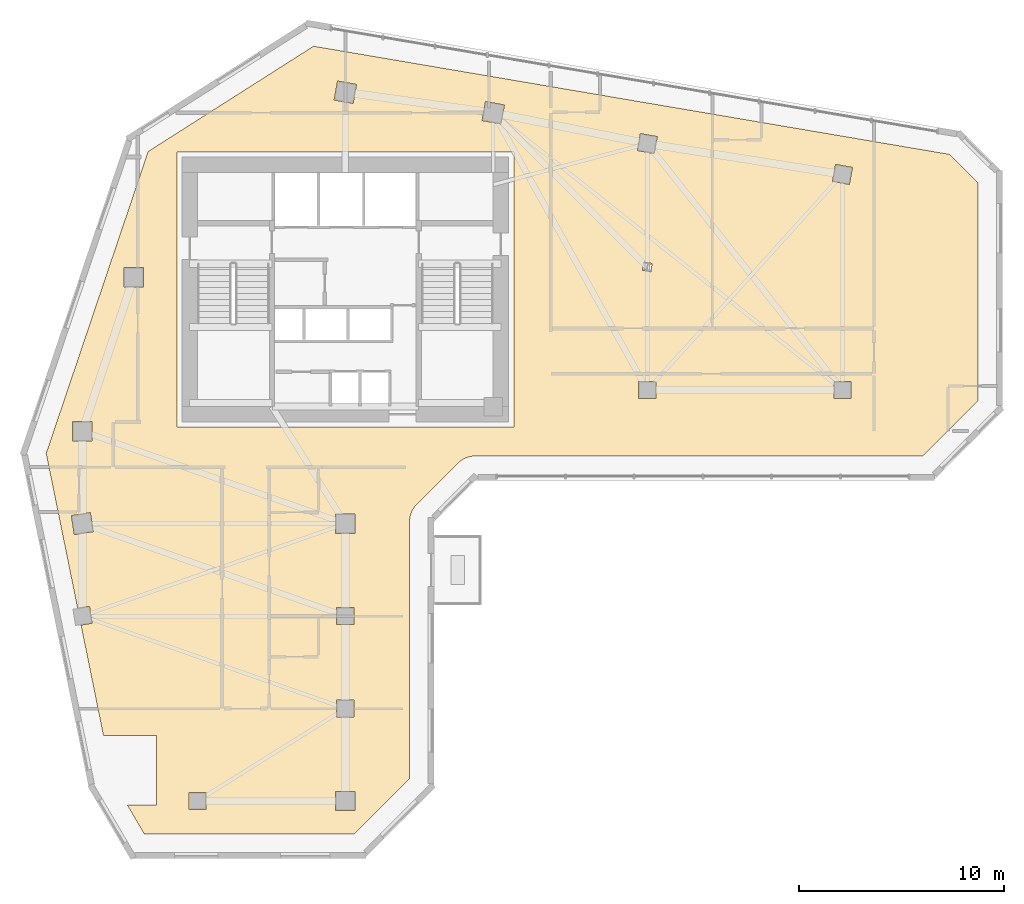
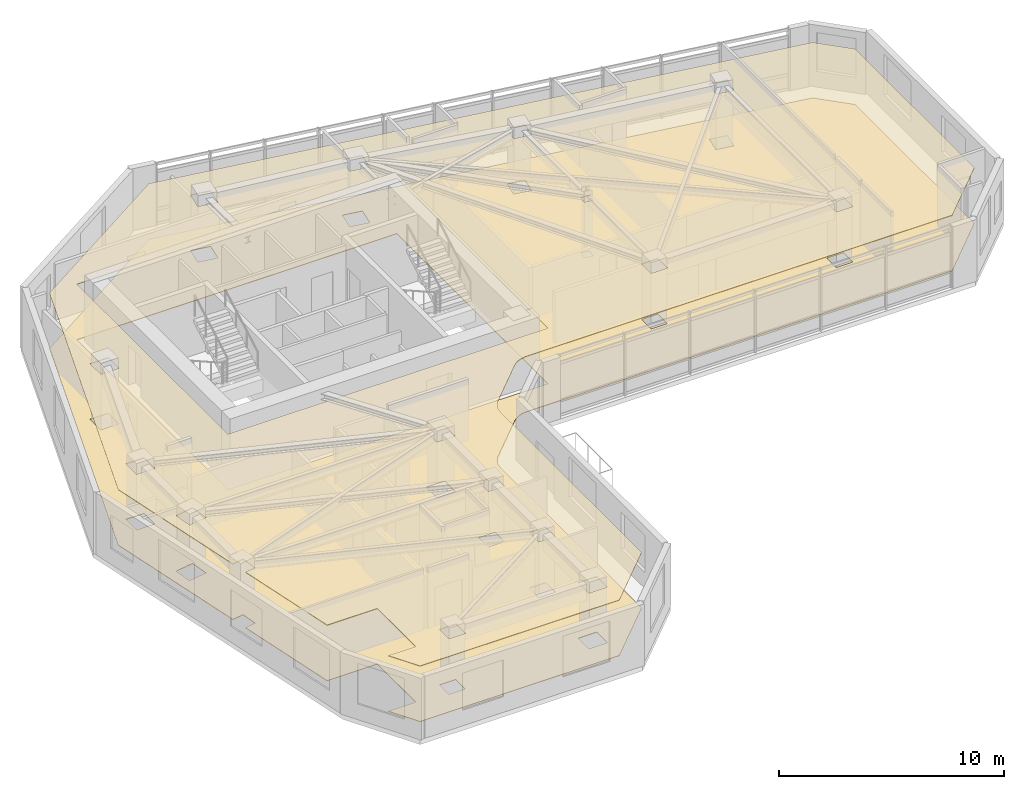
# One storey, part 9 of 10: 2 coverings.
"""IFC4 building model written with IfcOpenShell, lengths in metres."""

from ifc_helpers import new_model, si_unit, direction, frame, origin, place, context, subcontext, project, spatial, polyline, outline, extrude, material, layer, layer_set, type_object, element, save


model = new_model("IFC4")

# Units and contexts
model_context = context("Model", 3, precision=1e-05, world=origin(), true_north=direction((0.0, 1.0)))
body_context = subcontext(model_context, "Body", "Model", "MODEL_VIEW")
ifc_project = project(units=[si_unit("LENGTHUNIT", "METRE"), si_unit("AREAUNIT", "SQUARE_METRE"), si_unit("VOLUMEUNIT", "CUBIC_METRE"), si_unit("PLANEANGLEUNIT", "RADIAN"), si_unit("MASSUNIT", "GRAM", prefix="KILO")], contexts=[model_context])

# Site, building, storey
site_placement = place(None, origin())
site = spatial("IfcSite", under=ifc_project, at=site_placement, CompositionType="ELEMENT")
building_placement = place(site_placement, origin())
building = spatial("IfcBuilding", under=site, at=building_placement, Name="Calvemar Wedge Station Tower", CompositionType="ELEMENT")
storey_placement = place(building_placement, frame((0.0, 0.0, 150.199951171875)))
storey = spatial("IfcBuildingStorey", under=building, at=storey_placement, Name="L37", CompositionType="ELEMENT", Elevation=150.199951171875)

# Coverings
ifc_material_1 = material(Name="Acoustic mineral fibre ceiling board")
ifc_layer_1 = layer(ifc_material_1, 0.0400390625)
ifc_layer_set_1 = layer_set([ifc_layer_1], Name="Acoustic mineral fibre ceiling board")
covering_type_1 = type_object("IfcCoveringType", Name="COV-CEIL-ACOUSTIC", PredefinedType="CEILING", material=ifc_layer_set_1)
covering_1_placement = place(storey_placement, frame((0.0, 0.0, 3.0)))
element("IfcCovering", 1, at=covering_1_placement, inside=storey, type_object=covering_type_1, Name="Storey L37 Acoustic Suspended Ceiling", PredefinedType="CEILING", context=body_context, shape_type="SweptSolid", body=[
    extrude(outline(polyline([(27.279541015625, 29.4404296875), (29.279541015625, 31.4404296875), (29.36669921875, 31.51953125), (29.461181640625, 31.58984375), (29.562255859375, 31.650390625), (29.668701171875, 31.70068359375), (29.77978515625, 31.740234375), (29.893798828125, 31.768798828125), (30.010498046875, 31.7861328125), (30.1279296875, 31.7919921875), (51.90283203125, 31.7919921875), (54.60009765625, 34.489013671875), (54.60009765625, 45.094970703125), (53.221923828125, 46.47314453125), (22.25439453125, 51.739501953125), (14.201416015625, 46.614990234375), (9.240234375, 31.922119140625), (10.76904296875, 24.388427734375), (11.348388671875, 24.481201171875), (11.481201171875, 23.651611328125), (10.936279296875, 23.564453125), (12.02490234375, 18.199951171875), (14.60009765625, 18.199951171875), (14.60009765625, 14.800048828125), (13.19091796875, 14.800048828125), (14.014404296875, 13.39990234375), (24.23095703125, 13.39990234375), (26.927978515625, 16.09716796875), (26.927978515625, 28.592041015625), (26.933837890625, 28.709716796875), (26.951171875, 28.826171875), (26.979736328125, 28.940185546875), (27.019287109375, 29.05126953125), (27.069580078125, 29.15771484375), (27.130126953125, 29.2587890625), (27.200439453125, 29.353271484375), (27.279541015625, 29.4404296875)]), holes=[polyline([(15.60009765625, 46.60009765625), (32.0, 46.60009765625), (32.0, 33.199951171875), (15.60009765625, 33.199951171875), (15.60009765625, 46.60009765625)]), polyline([(10.530029296875, 32.530029296875), (10.530029296875, 33.469970703125), (11.469970703125, 33.469970703125), (11.469970703125, 32.530029296875), (10.530029296875, 32.530029296875)]), polyline([(13.030029296875, 40.969970703125), (13.969970703125, 40.969970703125), (13.969970703125, 40.030029296875), (13.030029296875, 40.030029296875), (13.030029296875, 40.969970703125)]), polyline([(24.345703125, 49.87939453125), (24.17919921875, 48.9541015625), (23.254150390625, 49.12060546875), (23.420654296875, 50.0458984375), (24.345703125, 49.87939453125)]), polyline([(31.37939453125, 47.9541015625), (30.4541015625, 48.12060546875), (30.62060546875, 49.0458984375), (31.5458984375, 48.87939453125), (31.37939453125, 47.9541015625)]), polyline([(38.01220703125, 46.660888671875), (38.160888671875, 47.48779296875), (38.98779296875, 47.339111328125), (38.839111328125, 46.51220703125), (38.01220703125, 46.660888671875)]), polyline([(47.660888671875, 45.98779296875), (48.48779296875, 45.839111328125), (48.339111328125, 45.01220703125), (47.51220703125, 45.160888671875), (47.660888671875, 45.98779296875)]), polyline([(38.919921875, 35.419921875), (38.919921875, 34.580078125), (38.080078125, 34.580078125), (38.080078125, 35.419921875), (38.919921875, 35.419921875)]), polyline([(48.419921875, 34.580078125), (47.580078125, 34.580078125), (47.580078125, 35.419921875), (48.419921875, 35.419921875), (48.419921875, 34.580078125)]), polyline([(38.259765625, 40.833984375), (38.332763671875, 41.239501953125), (38.740234375, 41.166015625), (38.667236328125, 40.760498046875), (38.259765625, 40.833984375)]), polyline([(11.389892578125, 29.038330078125), (11.538330078125, 28.110107421875), (10.610107421875, 27.961669921875), (10.461669921875, 28.889892578125), (11.389892578125, 29.038330078125)]), polyline([(24.27001953125, 28.030029296875), (23.330078125, 28.030029296875), (23.330078125, 28.969970703125), (24.27001953125, 28.969970703125), (24.27001953125, 28.030029296875)]), polyline([(23.3798828125, 23.580078125), (23.3798828125, 24.419921875), (24.219970703125, 24.419921875), (24.219970703125, 23.580078125), (23.3798828125, 23.580078125)]), polyline([(23.3798828125, 19.919921875), (24.219970703125, 19.919921875), (24.219970703125, 19.080078125), (23.3798828125, 19.080078125), (23.3798828125, 19.919921875)]), polyline([(24.27001953125, 15.469970703125), (24.27001953125, 14.530029296875), (23.330078125, 14.530029296875), (23.330078125, 15.469970703125), (24.27001953125, 15.469970703125)]), polyline([(17.02001953125, 14.580078125), (16.179931640625, 14.580078125), (16.179931640625, 15.419921875), (17.02001953125, 15.419921875), (17.02001953125, 14.580078125)])]), origin(), (0.0, 0.0, 1.0), 0.0400390625),
])
ifc_material_2 = material(Name="Honed coastal granite stone tile", Category="masonry")
ifc_layer_2 = layer(ifc_material_2, 0.030029296875)
ifc_layer_set_2 = layer_set([ifc_layer_2], Name="Honed coastal granite stone tile")
covering_type_2 = type_object("IfcCoveringType", Name="COV-FLR-STONE", PredefinedType="FLOORING", material=ifc_layer_set_2)
covering_2_placement = place(storey_placement, origin())
element("IfcCovering", 2, at=covering_2_placement, inside=storey, type_object=covering_type_2, Name="Storey L37 Architectural Floor Finish", PredefinedType="FLOORING", context=body_context, shape_type="SweptSolid", body=[
    extrude(outline(polyline([(27.279541015625, 29.4404296875), (29.279541015625, 31.4404296875), (29.36669921875, 31.51953125), (29.461181640625, 31.58984375), (29.562255859375, 31.650390625), (29.668701171875, 31.70068359375), (29.77978515625, 31.740234375), (29.893798828125, 31.768798828125), (30.010498046875, 31.7861328125), (30.1279296875, 31.7919921875), (51.90283203125, 31.7919921875), (54.60009765625, 34.489013671875), (54.60009765625, 45.094970703125), (53.221923828125, 46.47314453125), (22.25439453125, 51.739501953125), (14.201416015625, 46.614990234375), (9.240234375, 31.922119140625), (10.76904296875, 24.388427734375), (11.348388671875, 24.481201171875), (11.481201171875, 23.651611328125), (10.936279296875, 23.564453125), (12.02490234375, 18.199951171875), (14.60009765625, 18.199951171875), (14.60009765625, 14.800048828125), (13.19091796875, 14.800048828125), (14.014404296875, 13.39990234375), (24.23095703125, 13.39990234375), (26.927978515625, 16.09716796875), (26.927978515625, 28.592041015625), (26.933837890625, 28.709716796875), (26.951171875, 28.826171875), (26.979736328125, 28.940185546875), (27.019287109375, 29.05126953125), (27.069580078125, 29.15771484375), (27.130126953125, 29.2587890625), (27.200439453125, 29.353271484375), (27.279541015625, 29.4404296875)]), holes=[polyline([(15.60009765625, 46.60009765625), (32.0, 46.60009765625), (32.0, 33.199951171875), (15.60009765625, 33.199951171875), (15.60009765625, 46.60009765625)]), polyline([(10.530029296875, 32.530029296875), (10.530029296875, 33.469970703125), (11.469970703125, 33.469970703125), (11.469970703125, 32.530029296875), (10.530029296875, 32.530029296875)]), polyline([(13.030029296875, 40.969970703125), (13.969970703125, 40.969970703125), (13.969970703125, 40.030029296875), (13.030029296875, 40.030029296875), (13.030029296875, 40.969970703125)]), polyline([(24.345703125, 49.87939453125), (24.17919921875, 48.9541015625), (23.254150390625, 49.12060546875), (23.420654296875, 50.0458984375), (24.345703125, 49.87939453125)]), polyline([(31.37939453125, 47.9541015625), (30.4541015625, 48.12060546875), (30.62060546875, 49.0458984375), (31.5458984375, 48.87939453125), (31.37939453125, 47.9541015625)]), polyline([(38.01220703125, 46.660888671875), (38.160888671875, 47.48779296875), (38.98779296875, 47.339111328125), (38.839111328125, 46.51220703125), (38.01220703125, 46.660888671875)]), polyline([(47.660888671875, 45.98779296875), (48.48779296875, 45.839111328125), (48.339111328125, 45.01220703125), (47.51220703125, 45.160888671875), (47.660888671875, 45.98779296875)]), polyline([(38.919921875, 35.419921875), (38.919921875, 34.580078125), (38.080078125, 34.580078125), (38.080078125, 35.419921875), (38.919921875, 35.419921875)]), polyline([(48.419921875, 34.580078125), (47.580078125, 34.580078125), (47.580078125, 35.419921875), (48.419921875, 35.419921875), (48.419921875, 34.580078125)]), polyline([(38.259765625, 40.833984375), (38.332763671875, 41.239501953125), (38.740234375, 41.166015625), (38.667236328125, 40.760498046875), (38.259765625, 40.833984375)]), polyline([(11.389892578125, 29.038330078125), (11.538330078125, 28.110107421875), (10.610107421875, 27.961669921875), (10.461669921875, 28.889892578125), (11.389892578125, 29.038330078125)]), polyline([(24.27001953125, 28.030029296875), (23.330078125, 28.030029296875), (23.330078125, 28.969970703125), (24.27001953125, 28.969970703125), (24.27001953125, 28.030029296875)]), polyline([(23.3798828125, 23.580078125), (23.3798828125, 24.419921875), (24.219970703125, 24.419921875), (24.219970703125, 23.580078125), (23.3798828125, 23.580078125)]), polyline([(23.3798828125, 19.919921875), (24.219970703125, 19.919921875), (24.219970703125, 19.080078125), (23.3798828125, 19.080078125), (23.3798828125, 19.919921875)]), polyline([(24.27001953125, 15.469970703125), (24.27001953125, 14.530029296875), (23.330078125, 14.530029296875), (23.330078125, 15.469970703125), (24.27001953125, 15.469970703125)]), polyline([(17.02001953125, 14.580078125), (16.179931640625, 14.580078125), (16.179931640625, 15.419921875), (17.02001953125, 15.419921875), (17.02001953125, 14.580078125)])]), origin(), (0.0, 0.0, 1.0), 0.030029296875),
])

save(model, "model.ifc")
